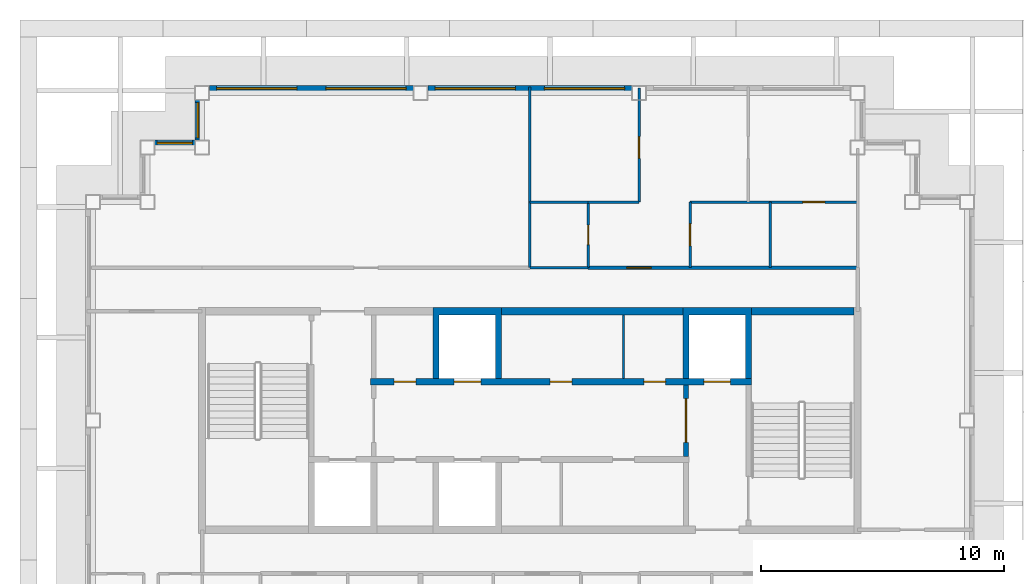
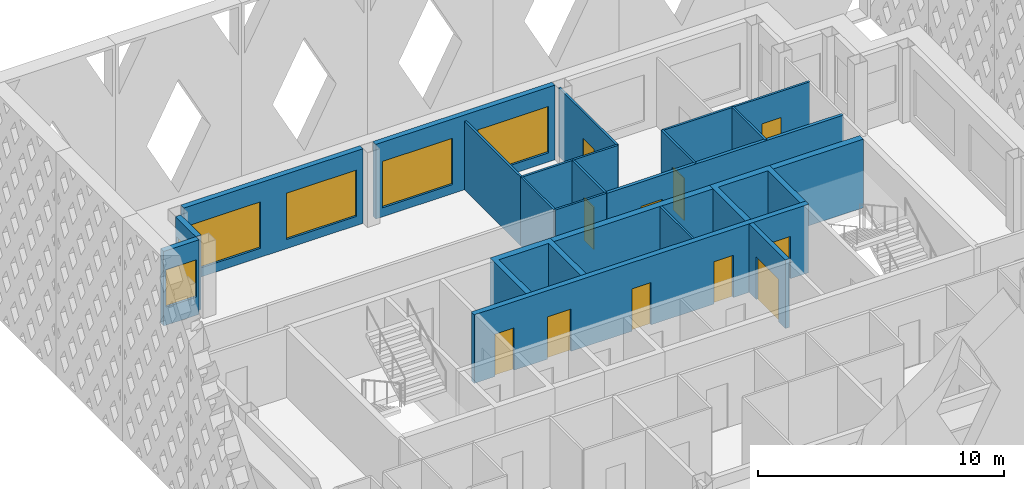
# One storey, part 4 of 13: 22 walls, 11 doors, 6 windows, 17 openings.
"""IFC4 building model written with IfcOpenShell, lengths in metres."""

from ifc_helpers import new_model, si_unit, direction, frame, frame_2d, origin, place, context, subcontext, project, spatial, polyline, rectangle, outline, extrude, material, layer, layer_set, type_object, element, fill, save


model = new_model("IFC4")

# Units and contexts
model_context = context("Model", 3, precision=1e-05, world=origin(), true_north=direction((0.0, 1.0)))
body_context = subcontext(model_context, "Body", "Model", "MODEL_VIEW")
ifc_project = project(units=[si_unit("LENGTHUNIT", "METRE"), si_unit("AREAUNIT", "SQUARE_METRE"), si_unit("VOLUMEUNIT", "CUBIC_METRE"), si_unit("PLANEANGLEUNIT", "RADIAN"), si_unit("MASSUNIT", "GRAM", prefix="KILO")], contexts=[model_context])

# Site, building, storey
site_placement = place(None, origin())
site = spatial("IfcSite", under=ifc_project, at=site_placement, CompositionType="ELEMENT")
building_placement = place(site_placement, origin())
building = spatial("IfcBuilding", under=site, at=building_placement, Name="Caravel Reach Hotel and Residences", CompositionType="ELEMENT")
storey_placement = place(building_placement, frame((0.0, 0.0, 294.5)))
storey = spatial("IfcBuildingStorey", under=building, at=storey_placement, Name="L75", CompositionType="ELEMENT", Elevation=294.5)

# Walls
ifc_material_1 = material(Name="Gypsum board on steel stud", Category="steel")
ifc_layer_1 = layer(ifc_material_1, 0.10009765625)
ifc_layer_set_1 = layer_set([ifc_layer_1], Name="Bathroom pod wall 100 mm")
wall_type_1 = type_object("IfcWallType", Name="Bathroom pod wall 100 mm", PredefinedType="PARTITIONING", material=ifc_layer_set_1)
for number, where, z_axis, x_axis, name in (
    (1, (31.5, 33.300048828125, 0.0), (0.0, 0.0, 1.0), (1.0, 0.0, 0.0), "L75 wall w052"),
    (2, (31.5, 36.0, 0.0), (0.0, 0.0, 1.0), (1.0, 0.0, 0.0), "L75 wall w053"),
):
    element("IfcWall", number, at=place(storey_placement, frame(where, z_axis=z_axis, x_axis=x_axis)), inside=storey, type_object=wall_type_1, Name=name, PredefinedType="PARTITIONING", context=body_context, shape_type="SweptSolid", body=[
        extrude(rectangle(XDim=2.39990234375, YDim=0.10009765625, at=frame_2d((1.199951171875, 0.0))), origin(), (0.0, 0.0, 1.0), 3.39990234375),
    ])
wall_1_placement = place(storey_placement, frame((31.5, 33.300048828125, 0.0), z_axis=(0.0, 0.0, 1.0), x_axis=(0.0, 1.0, 0.0)))
element("IfcWall", 3, at=wall_1_placement, inside=storey, type_object=wall_type_1, Name="L75 wall w057", PredefinedType="PARTITIONING", context=body_context, shape_type="SweptSolid", body=[
    extrude(rectangle(XDim=2.699951171875, YDim=0.10009765625, at=frame_2d((1.35009765625, 0.0))), origin(), (0.0, 0.0, 1.0), 3.39990234375),
])

# Wall, opening, door
wall_2_placement = place(storey_placement, frame((33.89990234375, 33.300048828125, 0.0), z_axis=(0.0, 0.0, 1.0), x_axis=(0.0, 1.0, 0.0)))
wall_2 = element("IfcWall", 4, at=wall_2_placement, inside=storey, type_object=wall_type_1, Name="L75 wall w059", PredefinedType="PARTITIONING", context=body_context, shape_type="SweptSolid", body=[
    extrude(rectangle(XDim=2.699951171875, YDim=0.10009765625, at=frame_2d((1.35009765625, 0.0))), origin(), (0.0, 0.0, 1.0), 3.39990234375),
])
opening_1_placement = place(wall_2_placement, frame((0.949951171875, 0.0, 0.0)))
opening_1 = element("IfcOpeningElement", 5, at=opening_1_placement, cuts=wall_2, Name="Opening D75-019", PredefinedType="OPENING", context=body_context, shape_type="SweptSolid", body=[
    extrude(rectangle(XDim=0.800048828125, YDim=2.10009765625, at=frame_2d((0.39990234375, 1.050048828125))), frame((0.0, 0.06005859375, 0.0), z_axis=(0.0, -1.0, 0.0), x_axis=(1.0, 0.0, 0.0)), (0.0, 0.0, 1.0), 0.1201171875),
])
ifc_material_2 = material(Name="Timber and steel door leaf", Category="steel")
door_type_1 = type_object("IfcDoorType", Name="Bathroom door 800 x 2100", OperationType="SINGLE_SWING_LEFT", PredefinedType="DOOR", material=ifc_material_2)
door_1_placement = place(opening_1_placement, origin())
door_1 = element("IfcDoor", 6, at=door_1_placement, inside=storey, type_object=door_type_1, Name="door D75-019", OperationType="SINGLE_SWING_RIGHT", OverallHeight=2.10009765625, OverallWidth=0.800048828125, PredefinedType="DOOR", context=body_context, shape_type="SweptSolid", body=[
    extrude(rectangle(XDim=0.800048828125, YDim=2.10009765625, at=frame_2d((0.39990234375, 1.050048828125))), frame((0.0, 0.02490234375, 0.0), z_axis=(0.0, -1.0, 0.0), x_axis=(1.0, 0.0, 0.0)), (0.0, 0.0, 1.0), 0.050048828125),
])
fill(opening_1, door_1)

# Walls
ifc_material_3 = material(Name="Concrete C60", Category="concrete")
ifc_layer_2 = layer(ifc_material_3, 0.300048828125)
ifc_layer_set_2 = layer_set([ifc_layer_2], Name="Core wall 300 mm EI 120")
wall_type_2 = type_object("IfcWallType", Name="Core wall 300 mm EI 120", PredefinedType="SHEAR", material=ifc_layer_set_2)
wall_3_placement = place(storey_placement, frame((30.33935546875, 31.5, 0.0), z_axis=(0.0, 0.0, 1.0), x_axis=(1.0, 0.0, 0.0)))
element("IfcWall", 7, at=wall_3_placement, inside=storey, type_object=wall_type_2, Name="L75 core wall N2", PredefinedType="SHEAR", context=body_context, shape_type="SweptSolid", body=[
    extrude(rectangle(XDim=7.464111328125, YDim=0.300048828125, at=frame_2d((3.73193359375, 0.0))), origin(), (0.0, 0.0, 1.0), 3.39990234375),
])
wall_4_placement = place(storey_placement, frame((40.625, 31.5, 0.0), z_axis=(0.0, 0.0, 1.0), x_axis=(1.0, 0.0, 0.0)))
element("IfcWall", 8, at=wall_4_placement, inside=storey, type_object=wall_type_2, Name="L75 core wall N3", PredefinedType="SHEAR", context=body_context, shape_type="SweptSolid", body=[
    extrude(rectangle(XDim=4.22509765625, YDim=0.300048828125, at=frame_2d((2.112548828125, 0.0))), origin(), (0.0, 0.0, 1.0), 3.39990234375),
])

# Wall, opening, door
ifc_material_4 = material(Name="Gypsum board on steel stud, fire-rated", Category="steel")
ifc_layer_3 = layer(ifc_material_4, 0.14990234375)
ifc_layer_set_3 = layer_set([ifc_layer_3], Name="Corridor wall 150 mm EI 60")
wall_type_3 = type_object("IfcWallType", Name="Corridor wall 150 mm EI 60", PredefinedType="PARTITIONING", material=ifc_layer_set_3)
wall_5_placement = place(storey_placement, frame((33.89990234375, 33.300048828125, 0.0), z_axis=(0.0, 0.0, 1.0), x_axis=(1.0, 0.0, 0.0)))
wall_5 = element("IfcWall", 9, at=wall_5_placement, inside=storey, type_object=wall_type_3, Name="L75 wall w012", PredefinedType="PARTITIONING", context=body_context, shape_type="SweptSolid", body=[
    extrude(rectangle(XDim=11.10009765625, YDim=0.14990234375, at=frame_2d((5.550048828125, 0.0))), origin(), (0.0, 0.0, 1.0), 3.39990234375),
])
opening_2_placement = place(wall_5_placement, frame((1.60009765625, 0.0, 0.0)))
opening_2 = element("IfcOpeningElement", 10, at=opening_2_placement, cuts=wall_5, Name="Opening D75-018", PredefinedType="OPENING", context=body_context, shape_type="SweptSolid", body=[
    extrude(rectangle(XDim=1.0, YDim=2.199951171875, at=frame_2d((0.5, 1.10009765625))), frame((0.0, 0.0849609375, 0.0), z_axis=(0.0, -1.0, 0.0), x_axis=(1.0, 0.0, 0.0)), (0.0, 0.0, 1.0), 0.169921875),
])
ifc_material_5 = material(Name="Steel fire door leaf", Category="steel")
door_type_2 = type_object("IfcDoorType", Name="Flat entrance door 1000 x 2200 EI 60", OperationType="SINGLE_SWING_LEFT", PredefinedType="DOOR", material=ifc_material_5)
door_2_placement = place(opening_2_placement, origin())
door_2 = element("IfcDoor", 11, at=door_2_placement, inside=storey, type_object=door_type_2, Name="door D75-018", OperationType="SINGLE_SWING_RIGHT", OverallHeight=2.199951171875, OverallWidth=1.0, PredefinedType="DOOR", context=body_context, shape_type="SweptSolid", body=[
    extrude(rectangle(XDim=1.0, YDim=2.199951171875, at=frame_2d((0.5, 1.10009765625))), frame((0.0, 0.02490234375, 0.0), z_axis=(0.0, -1.0, 0.0), x_axis=(1.0, 0.0, 0.0)), (0.0, 0.0, 1.0), 0.050048828125),
])
fill(opening_2, door_2)

# Wall, openings, windows
ifc_material_6 = material(Name="Insulated rainscreen wall, aluminium cladding", Category="aluminium")
ifc_layer_4 = layer(ifc_material_6, 0.25)
ifc_layer_set_4 = layer_set([ifc_layer_4], Name="EW1 Tower rainscreen wall")
wall_type_4 = type_object("IfcWallType", Name="EW1 Tower rainscreen wall", PredefinedType="SOLIDWALL", material=ifc_layer_set_4)
wall_6_placement = place(storey_placement, frame((35.699951171875, 40.675048828125, 0.0), z_axis=(0.0, 0.0, 1.0), x_axis=(-1.0, 0.0, 0.0)))
wall_6 = element("IfcWall", 12, at=wall_6_placement, inside=storey, type_object=wall_type_4, Name="External wall L75 N10.2", PredefinedType="SOLIDWALL", context=body_context, shape_type="SweptSolid", body=[
    extrude(rectangle(XDim=8.39990234375, YDim=0.25, at=frame_2d((4.199951171875, 0.0))), origin(), (0.0, 0.0, 1.0), 3.699951171875),
])
opening_3_placement = place(wall_6_placement, frame((0.300048828125, 0.0, 0.449951171875)))
opening_3 = element("IfcOpeningElement", 13, at=opening_3_placement, cuts=wall_6, Name="Opening WN15", PredefinedType="OPENING", context=body_context, shape_type="SweptSolid", body=[
    extrude(rectangle(XDim=3.300048828125, YDim=2.300048828125, at=frame_2d((1.64990234375, 1.14990234375))), frame((0.0, 0.135009765625, 0.0), z_axis=(0.0, -1.0, 0.0), x_axis=(1.0, 0.0, 0.0)), (0.0, 0.0, 1.0), 0.27001953125),
])
opening_4_placement = place(wall_6_placement, frame((4.800048828125, 0.0, 0.449951171875)))
opening_4 = element("IfcOpeningElement", 14, at=opening_4_placement, cuts=wall_6, Name="Opening WN15", PredefinedType="OPENING", context=body_context, shape_type="SweptSolid", body=[
    extrude(rectangle(XDim=3.300048828125, YDim=2.300048828125, at=frame_2d((1.64990234375, 1.14990234375))), frame((0.0, 0.135009765625, 0.0), z_axis=(0.0, -1.0, 0.0), x_axis=(1.0, 0.0, 0.0)), (0.0, 0.0, 1.0), 0.27001953125),
])
ifc_material_7 = material(Name="Dark low-e glazing in black aluminium frame", Category="aluminium")
window_type_1 = type_object("IfcWindowType", Name="Residence living window 3300 x 2300", PartitioningType="SINGLE_PANEL", PredefinedType="WINDOW", material=ifc_material_7)
window_1_placement = place(opening_3_placement, origin())
window_1 = element("IfcWindow", 15, at=window_1_placement, inside=storey, type_object=window_type_1, Name="Window L75 N10.2.1", OverallHeight=2.300048828125, OverallWidth=3.300048828125, PartitioningType="SINGLE_PANEL", PredefinedType="WINDOW", context=body_context, shape_type="SweptSolid", body=[
    extrude(rectangle(XDim=3.300048828125, YDim=2.300048828125, at=frame_2d((1.64990234375, 1.14990234375))), frame((0.0, 0.030029296875, 0.0), z_axis=(0.0, -1.0, 0.0), x_axis=(1.0, 0.0, 0.0)), (0.0, 0.0, 1.0), 0.06005859375),
])
fill(opening_3, window_1)
window_2_placement = place(opening_4_placement, origin())
window_2 = element("IfcWindow", 16, at=window_2_placement, inside=storey, type_object=window_type_1, Name="Window L75 N10.2.2", OverallHeight=2.300048828125, OverallWidth=3.300048828125, PartitioningType="SINGLE_PANEL", PredefinedType="WINDOW", context=body_context, shape_type="SweptSolid", body=[
    extrude(rectangle(XDim=3.300048828125, YDim=2.300048828125, at=frame_2d((1.64990234375, 1.14990234375))), frame((0.0, 0.030029296875, 0.0), z_axis=(0.0, -1.0, 0.0), x_axis=(1.0, 0.0, 0.0)), (0.0, 0.0, 1.0), 0.06005859375),
])
fill(opening_4, window_2)

wall_7_placement = place(storey_placement, frame((26.699951171875, 40.675048828125, 0.0), z_axis=(0.0, 0.0, 1.0), x_axis=(-1.0, 0.0, 0.0)))
wall_7 = element("IfcWall", 17, at=wall_7_placement, inside=storey, type_object=wall_type_4, Name="External wall L75 N10.3", PredefinedType="SOLIDWALL", context=body_context, shape_type="SweptSolid", body=[
    extrude(rectangle(XDim=8.39990234375, YDim=0.25, at=frame_2d((4.199951171875, 0.0))), origin(), (0.0, 0.0, 1.0), 3.699951171875),
])
opening_5_placement = place(wall_7_placement, frame((0.300048828125, 0.0, 0.449951171875)))
opening_5 = element("IfcOpeningElement", 18, at=opening_5_placement, cuts=wall_7, Name="Opening WN15", PredefinedType="OPENING", context=body_context, shape_type="SweptSolid", body=[
    extrude(rectangle(XDim=3.300048828125, YDim=2.300048828125, at=frame_2d((1.64990234375, 1.14990234375))), frame((0.0, 0.135009765625, 0.0), z_axis=(0.0, -1.0, 0.0), x_axis=(1.0, 0.0, 0.0)), (0.0, 0.0, 1.0), 0.27001953125),
])
opening_6_placement = place(wall_7_placement, frame((4.800048828125, 0.0, 0.449951171875)))
opening_6 = element("IfcOpeningElement", 19, at=opening_6_placement, cuts=wall_7, Name="Opening WN15", PredefinedType="OPENING", context=body_context, shape_type="SweptSolid", body=[
    extrude(rectangle(XDim=3.300048828125, YDim=2.300048828125, at=frame_2d((1.64990234375, 1.14990234375))), frame((0.0, 0.135009765625, 0.0), z_axis=(0.0, -1.0, 0.0), x_axis=(1.0, 0.0, 0.0)), (0.0, 0.0, 1.0), 0.27001953125),
])
window_3_placement = place(opening_5_placement, origin())
window_3 = element("IfcWindow", 20, at=window_3_placement, inside=storey, type_object=window_type_1, Name="Window L75 N10.3.1", OverallHeight=2.300048828125, OverallWidth=3.300048828125, PartitioningType="SINGLE_PANEL", PredefinedType="WINDOW", context=body_context, shape_type="SweptSolid", body=[
    extrude(rectangle(XDim=3.300048828125, YDim=2.300048828125, at=frame_2d((1.64990234375, 1.14990234375))), frame((0.0, 0.030029296875, 0.0), z_axis=(0.0, -1.0, 0.0), x_axis=(1.0, 0.0, 0.0)), (0.0, 0.0, 1.0), 0.06005859375),
])
fill(opening_5, window_3)
window_4_placement = place(opening_6_placement, origin())
window_4 = element("IfcWindow", 21, at=window_4_placement, inside=storey, type_object=window_type_1, Name="Window L75 N10.3.2", OverallHeight=2.300048828125, OverallWidth=3.300048828125, PartitioningType="SINGLE_PANEL", PredefinedType="WINDOW", context=body_context, shape_type="SweptSolid", body=[
    extrude(rectangle(XDim=3.300048828125, YDim=2.300048828125, at=frame_2d((1.64990234375, 1.14990234375))), frame((0.0, 0.030029296875, 0.0), z_axis=(0.0, -1.0, 0.0), x_axis=(1.0, 0.0, 0.0)), (0.0, 0.0, 1.0), 0.06005859375),
])
fill(opening_6, window_4)

# Wall, opening, window
wall_8_placement = place(storey_placement, frame((17.824951171875, 40.199951171875, 0.0), z_axis=(0.0, 0.0, 1.0), x_axis=(0.0, -1.0, 0.0)))
wall_8 = element("IfcWall", 22, at=wall_8_placement, inside=storey, type_object=wall_type_4, Name="External wall L75 W11.1", PredefinedType="SOLIDWALL", context=body_context, shape_type="SweptSolid", body=[
    extrude(rectangle(XDim=1.64990234375, YDim=0.25, at=frame_2d((0.824951171875, 0.0))), origin(), (0.0, 0.0, 1.0), 3.699951171875),
])
opening_7_placement = place(wall_8_placement, frame((0.10009765625, 0.0, 0.89990234375)))
opening_7 = element("IfcOpeningElement", 23, at=opening_7_placement, cuts=wall_8, Name="Opening WN25", PredefinedType="OPENING", context=body_context, shape_type="SweptSolid", body=[
    extrude(rectangle(XDim=1.449951171875, YDim=1.85009765625, at=frame_2d((0.72509765625, 0.925048828125))), frame((0.0, 0.135009765625, 0.0), z_axis=(0.0, -1.0, 0.0), x_axis=(1.0, 0.0, 0.0)), (0.0, 0.0, 1.0), 0.27001953125),
])
ifc_material_8 = material(Name="Dark low-e glazing in black aluminium frame", Category="aluminium")
window_type_2 = type_object("IfcWindowType", Name="Residence bedroom window 1450 x 1850", PartitioningType="SINGLE_PANEL", PredefinedType="WINDOW", material=ifc_material_8)
window_5_placement = place(opening_7_placement, origin())
window_5 = element("IfcWindow", 24, at=window_5_placement, inside=storey, type_object=window_type_2, Name="Window L75 W11.1.1", OverallHeight=1.85009765625, OverallWidth=1.449951171875, PartitioningType="SINGLE_PANEL", PredefinedType="WINDOW", context=body_context, shape_type="SweptSolid", body=[
    extrude(rectangle(XDim=1.449951171875, YDim=1.85009765625, at=frame_2d((0.72509765625, 0.925048828125))), frame((0.0, 0.030029296875, 0.0), z_axis=(0.0, -1.0, 0.0), x_axis=(1.0, 0.0, 0.0)), (0.0, 0.0, 1.0), 0.06005859375),
])
fill(opening_7, window_5)

wall_9_placement = place(storey_placement, frame((17.699951171875, 38.425048828125, 0.0), z_axis=(0.0, 0.0, 1.0), x_axis=(-1.0, 0.0, 0.0)))
wall_9 = element("IfcWall", 25, at=wall_9_placement, inside=storey, type_object=wall_type_4, Name="External wall L75 N12.1", PredefinedType="SOLIDWALL", context=body_context, shape_type="SweptSolid", body=[
    extrude(rectangle(XDim=1.64990234375, YDim=0.25, at=frame_2d((0.824951171875, 0.0))), origin(), (0.0, 0.0, 1.0), 3.699951171875),
])
opening_8_placement = place(wall_9_placement, frame((0.10009765625, 0.0, 0.89990234375)))
opening_8 = element("IfcOpeningElement", 26, at=opening_8_placement, cuts=wall_9, Name="Opening WN25", PredefinedType="OPENING", context=body_context, shape_type="SweptSolid", body=[
    extrude(rectangle(XDim=1.449951171875, YDim=1.85009765625, at=frame_2d((0.72509765625, 0.925048828125))), frame((0.0, 0.135009765625, 0.0), z_axis=(0.0, -1.0, 0.0), x_axis=(1.0, 0.0, 0.0)), (0.0, 0.0, 1.0), 0.27001953125),
])
window_6_placement = place(opening_8_placement, origin())
window_6 = element("IfcWindow", 27, at=window_6_placement, inside=storey, type_object=window_type_2, Name="Window L75 N12.1.1", OverallHeight=1.85009765625, OverallWidth=1.449951171875, PartitioningType="SINGLE_PANEL", PredefinedType="WINDOW", context=body_context, shape_type="SweptSolid", body=[
    extrude(rectangle(XDim=1.449951171875, YDim=1.85009765625, at=frame_2d((0.72509765625, 0.925048828125))), frame((0.0, 0.030029296875, 0.0), z_axis=(0.0, -1.0, 0.0), x_axis=(1.0, 0.0, 0.0)), (0.0, 0.0, 1.0), 0.06005859375),
])
fill(opening_8, window_6)

# Wall, opening, door
ifc_material_9 = material(Name="Autoclaved aerated block wall")
ifc_layer_5 = layer(ifc_material_9, 0.199951171875)
ifc_layer_set_5 = layer_set([ifc_layer_5], Name="Fire lobby wall 200 mm EI 120")
wall_type_5 = type_object("IfcWallType", Name="Fire lobby wall 200 mm EI 120", PredefinedType="PARTITIONING", material=ifc_layer_set_5)
wall_10_placement = place(storey_placement, frame((37.928466796875, 25.52490234375, 0.0), z_axis=(0.0, 0.0, 1.0), x_axis=(0.0, 1.0, 0.0)))
wall_10 = element("IfcWall", 28, at=wall_10_placement, inside=storey, type_object=wall_type_5, Name="L75 lobby E wall", PredefinedType="PARTITIONING", context=body_context, shape_type="SweptSolid", body=[
    extrude(rectangle(XDim=2.9501953125, YDim=0.199951171875, at=frame_2d((1.47509765625, 0.0))), origin(), (0.0, 0.0, 1.0), 3.39990234375),
])
opening_9_placement = place(wall_10_placement, frame((0.574951171875, 0.0, 0.0)))
opening_9 = element("IfcOpeningElement", 29, at=opening_9_placement, cuts=wall_10, Name="Opening D75-014", PredefinedType="OPENING", context=body_context, shape_type="SweptSolid", body=[
    extrude(rectangle(XDim=1.800048828125, YDim=2.10009765625, at=frame_2d((0.89990234375, 1.050048828125))), frame((0.0, 0.10986328125, 0.0), z_axis=(0.0, -1.0, 0.0), x_axis=(1.0, 0.0, 0.0)), (0.0, 0.0, 1.0), 0.219970703125),
])
ifc_material_10 = material(Name="Steel fire door leaf", Category="steel")
door_type_3 = type_object("IfcDoorType", Name="Fire lobby door pair 1800 x 2100 EI 90", OperationType="DOUBLE_DOOR_SINGLE_SWING", PredefinedType="DOOR", material=ifc_material_10)
door_3_placement = place(opening_9_placement, origin())
door_3 = element("IfcDoor", 30, at=door_3_placement, inside=storey, type_object=door_type_3, Name="lobby E door pair", OperationType="DOUBLE_DOOR_SINGLE_SWING", OverallHeight=2.10009765625, OverallWidth=1.800048828125, PredefinedType="DOOR", context=body_context, shape_type="SweptSolid", body=[
    extrude(rectangle(XDim=1.800048828125, YDim=2.10009765625, at=frame_2d((0.89990234375, 1.050048828125))), frame((0.0, 0.02490234375, 0.0), z_axis=(0.0, -1.0, 0.0), x_axis=(1.0, 0.0, 0.0)), (0.0, 0.0, 1.0), 0.050048828125),
])
fill(opening_9, door_3)

# Walls
ifc_material_11 = material(Name="Gypsum board on steel stud", Category="steel")
ifc_layer_6 = layer(ifc_material_11, 0.10009765625)
ifc_layer_set_6 = layer_set([ifc_layer_6], Name="Partition 100 mm")
wall_type_6 = type_object("IfcWallType", Name="Partition 100 mm", PredefinedType="PARTITIONING", material=ifc_layer_set_6)
wall_11_placement = place(storey_placement, frame((35.357177734375, 28.72509765625, 0.0), z_axis=(0.0, 0.0, 1.0), x_axis=(0.0, 1.0, 0.0)))
element("IfcWall", 31, at=wall_11_placement, inside=storey, type_object=wall_type_6, Name="L75 store partition", PredefinedType="PARTITIONING", context=body_context, shape_type="SweptSolid", body=[
    extrude(rectangle(XDim=2.625, YDim=0.10009765625, at=frame_2d((1.3125, 0.0))), origin(), (0.0, 0.0, 1.0), 3.39990234375),
])
wall_12_placement = place(storey_placement, frame((33.89990234375, 36.0, 0.0), z_axis=(0.0, 0.0, 1.0), x_axis=(1.0, 0.0, 0.0)))
element("IfcWall", 32, at=wall_12_placement, inside=storey, type_object=wall_type_6, Name="L75 wall w024", PredefinedType="PARTITIONING", context=body_context, shape_type="SweptSolid", body=[
    extrude(rectangle(XDim=2.10009765625, YDim=0.10009765625, at=frame_2d((1.050048828125, 0.0))), origin(), (0.0, 0.0, 1.0), 3.39990234375),
])

# Wall, opening, door
wall_13_placement = place(storey_placement, frame((38.10009765625, 36.0, 0.0), z_axis=(0.0, 0.0, 1.0), x_axis=(1.0, 0.0, 0.0)))
wall_13 = element("IfcWall", 33, at=wall_13_placement, inside=storey, type_object=wall_type_6, Name="L75 wall w026", PredefinedType="PARTITIONING", context=body_context, shape_type="SweptSolid", body=[
    extrude(rectangle(XDim=6.89990234375, YDim=0.10009765625, at=frame_2d((3.449951171875, 0.0))), origin(), (0.0, 0.0, 1.0), 3.39990234375),
])
opening_10_placement = place(wall_13_placement, frame((4.650146484375, 0.0, 0.0)))
opening_10 = element("IfcOpeningElement", 34, at=opening_10_placement, cuts=wall_13, Name="Opening D75-021", PredefinedType="OPENING", context=body_context, shape_type="SweptSolid", body=[
    extrude(rectangle(XDim=0.89990234375, YDim=2.10009765625, at=frame_2d((0.449951171875, 1.050048828125))), frame((0.0, 0.06005859375, 0.0), z_axis=(0.0, -1.0, 0.0), x_axis=(1.0, 0.0, 0.0)), (0.0, 0.0, 1.0), 0.1201171875),
])
ifc_material_12 = material(Name="Timber and steel door leaf", Category="steel")
door_type_4 = type_object("IfcDoorType", Name="Door 900 x 2100 timber", OperationType="SINGLE_SWING_LEFT", PredefinedType="DOOR", material=ifc_material_12)
door_4_placement = place(opening_10_placement, origin())
door_4 = element("IfcDoor", 35, at=door_4_placement, inside=storey, type_object=door_type_4, Name="door D75-021", OperationType="SINGLE_SWING_LEFT", OverallHeight=2.10009765625, OverallWidth=0.89990234375, PredefinedType="DOOR", context=body_context, shape_type="SweptSolid", body=[
    extrude(rectangle(XDim=0.89990234375, YDim=2.10009765625, at=frame_2d((0.449951171875, 1.050048828125))), frame((0.0, 0.02490234375, 0.0), z_axis=(0.0, -1.0, 0.0), x_axis=(1.0, 0.0, 0.0)), (0.0, 0.0, 1.0), 0.050048828125),
])
fill(opening_10, door_4)

# Wall
wall_14_placement = place(storey_placement, frame((31.5, 36.0, 0.0), z_axis=(0.0, 0.0, 1.0), x_axis=(0.0, 1.0, 0.0)))
element("IfcWall", 36, at=wall_14_placement, inside=storey, type_object=wall_type_6, Name="L75 wall w031", PredefinedType="PARTITIONING", context=body_context, shape_type="SweptSolid", body=[
    extrude(rectangle(XDim=4.739990234375, YDim=0.10009765625, at=frame_2d((2.3701171875, 0.0))), origin(), (0.0, 0.0, 1.0), 3.39990234375),
])

# Wall, opening, door
wall_15_placement = place(storey_placement, frame((36.0, 36.0, 0.0), z_axis=(0.0, 0.0, 1.0), x_axis=(0.0, 1.0, 0.0)))
wall_15 = element("IfcWall", 37, at=wall_15_placement, inside=storey, type_object=wall_type_6, Name="L75 wall w033", PredefinedType="PARTITIONING", context=body_context, shape_type="SweptSolid", body=[
    extrude(rectangle(XDim=4.68994140625, YDim=0.10009765625, at=frame_2d((2.344970703125, 0.0))), origin(), (0.0, 0.0, 1.0), 3.39990234375),
])
opening_11_placement = place(wall_15_placement, frame((1.800048828125, 0.0, 0.0)))
opening_11 = element("IfcOpeningElement", 38, at=opening_11_placement, cuts=wall_15, Name="Opening D75-022", PredefinedType="OPENING", context=body_context, shape_type="SweptSolid", body=[
    extrude(rectangle(XDim=0.89990234375, YDim=2.10009765625, at=frame_2d((0.449951171875, 1.050048828125))), frame((0.0, 0.06005859375, 0.0), z_axis=(0.0, -1.0, 0.0), x_axis=(1.0, 0.0, 0.0)), (0.0, 0.0, 1.0), 0.1201171875),
])
door_5_placement = place(opening_11_placement, origin())
door_5 = element("IfcDoor", 39, at=door_5_placement, inside=storey, type_object=door_type_4, Name="door D75-022", OperationType="SINGLE_SWING_RIGHT", OverallHeight=2.10009765625, OverallWidth=0.89990234375, PredefinedType="DOOR", context=body_context, shape_type="SweptSolid", body=[
    extrude(rectangle(XDim=0.89990234375, YDim=2.10009765625, at=frame_2d((0.449951171875, 1.050048828125))), frame((0.0, 0.02490234375, 0.0), z_axis=(0.0, -1.0, 0.0), x_axis=(1.0, 0.0, 0.0)), (0.0, 0.0, 1.0), 0.050048828125),
])
fill(opening_11, door_5)

wall_16_placement = place(storey_placement, frame((38.10009765625, 33.300048828125, 0.0), z_axis=(0.0, 0.0, 1.0), x_axis=(0.0, 1.0, 0.0)))
wall_16 = element("IfcWall", 40, at=wall_16_placement, inside=storey, type_object=wall_type_6, Name="L75 wall w034", PredefinedType="PARTITIONING", context=body_context, shape_type="SweptSolid", body=[
    extrude(rectangle(XDim=2.699951171875, YDim=0.10009765625, at=frame_2d((1.35009765625, 0.0))), origin(), (0.0, 0.0, 1.0), 3.39990234375),
])
opening_12_placement = place(wall_16_placement, frame((0.89990234375, 0.0, 0.0)))
opening_12 = element("IfcOpeningElement", 41, at=opening_12_placement, cuts=wall_16, Name="Opening D75-020", PredefinedType="OPENING", context=body_context, shape_type="SweptSolid", body=[
    extrude(rectangle(XDim=0.89990234375, YDim=2.10009765625, at=frame_2d((0.449951171875, 1.050048828125))), frame((0.0, 0.06005859375, 0.0), z_axis=(0.0, -1.0, 0.0), x_axis=(1.0, 0.0, 0.0)), (0.0, 0.0, 1.0), 0.1201171875),
])
door_6_placement = place(opening_12_placement, origin())
door_6 = element("IfcDoor", 42, at=door_6_placement, inside=storey, type_object=door_type_4, Name="door D75-020", OperationType="SINGLE_SWING_RIGHT", OverallHeight=2.10009765625, OverallWidth=0.89990234375, PredefinedType="DOOR", context=body_context, shape_type="SweptSolid", body=[
    extrude(rectangle(XDim=0.89990234375, YDim=2.10009765625, at=frame_2d((0.449951171875, 1.050048828125))), frame((0.0, 0.02490234375, 0.0), z_axis=(0.0, -1.0, 0.0), x_axis=(1.0, 0.0, 0.0)), (0.0, 0.0, 1.0), 0.050048828125),
])
fill(opening_12, door_6)

# Walls
wall_17_placement = place(storey_placement, frame((41.39990234375, 33.300048828125, 0.0), z_axis=(0.0, 0.0, 1.0), x_axis=(0.0, 1.0, 0.0)))
element("IfcWall", 43, at=wall_17_placement, inside=storey, type_object=wall_type_6, Name="L75 wall w038", PredefinedType="PARTITIONING", context=body_context, shape_type="SweptSolid", body=[
    extrude(rectangle(XDim=2.699951171875, YDim=0.10009765625, at=frame_2d((1.35009765625, 0.0))), origin(), (0.0, 0.0, 1.0), 3.39990234375),
])
ifc_material_13 = material(Name="Concrete C60", Category="concrete")
ifc_layer_7 = layer(ifc_material_13, 0.25)
ifc_layer_set_7 = layer_set([ifc_layer_7], Name="Shaft wall 250 mm EI 120")
wall_type_7 = type_object("IfcWallType", Name="Shaft wall 250 mm EI 120", PredefinedType="SHEAR", material=ifc_layer_set_7)
wall_18_placement = place(storey_placement, origin())
element("IfcWall", 44, at=wall_18_placement, inside=storey, type_object=wall_type_7, Name="L75 lift shaft wall N1", PredefinedType="SHEAR", context=body_context, shape_type="SweptSolid", body=[
    extrude(outline(polyline([(27.517822265625, 28.72509765625), (27.767822265625, 28.72509765625), (27.767822265625, 31.35009765625), (30.08935546875, 31.35009765625), (30.08935546875, 28.72509765625), (30.33935546875, 28.72509765625), (30.33935546875, 31.64990234375), (27.517822265625, 31.64990234375), (27.517822265625, 28.72509765625)])), origin(), (0.0, 0.0, 1.0), 3.39990234375),
])
wall_19_placement = place(storey_placement, origin())
element("IfcWall", 45, at=wall_19_placement, inside=storey, type_object=wall_type_7, Name="L75 lift shaft wall N2", PredefinedType="SHEAR", context=body_context, shape_type="SweptSolid", body=[
    extrude(outline(polyline([(37.803466796875, 28.72509765625), (38.053466796875, 28.72509765625), (38.053466796875, 31.35009765625), (40.375, 31.35009765625), (40.375, 28.72509765625), (40.625, 28.72509765625), (40.625, 31.64990234375), (37.803466796875, 31.64990234375), (37.803466796875, 28.72509765625)])), origin(), (0.0, 0.0, 1.0), 3.39990234375),
])

# Wall, openings, doors
wall_20_placement = place(storey_placement, frame((24.946533203125, 28.60009765625, 0.0), z_axis=(0.0, 0.0, 1.0), x_axis=(1.0, 0.0, 0.0)))
wall_20 = element("IfcWall", 46, at=wall_20_placement, inside=storey, type_object=wall_type_7, Name="L75 lobby wall N1", PredefinedType="SHEAR", context=body_context, shape_type="SweptSolid", body=[
    extrude(rectangle(XDim=15.678466796875, YDim=0.25, at=frame_2d((7.83935546875, 0.0))), origin(), (0.0, 0.0, 1.0), 3.39990234375),
])
opening_13_placement = place(wall_20_placement, frame((3.43212890625, 0.0, 0.0)))
opening_13 = element("IfcOpeningElement", 47, at=opening_13_placement, cuts=wall_20, Name="Opening D75-002", PredefinedType="OPENING", context=body_context, shape_type="SweptSolid", body=[
    extrude(rectangle(XDim=1.10009765625, YDim=2.10009765625, at=frame_2d((0.550048828125, 1.050048828125))), frame((0.0, 0.135009765625, 0.0), z_axis=(0.0, -1.0, 0.0), x_axis=(1.0, 0.0, 0.0)), (0.0, 0.0, 1.0), 0.27001953125),
])
opening_14_placement = place(wall_20_placement, frame((13.718017578125, 0.0, 0.0)))
opening_14 = element("IfcOpeningElement", 48, at=opening_14_placement, cuts=wall_20, Name="Opening D75-004", PredefinedType="OPENING", context=body_context, shape_type="SweptSolid", body=[
    extrude(rectangle(XDim=1.10009765625, YDim=2.10009765625, at=frame_2d((0.550048828125, 1.050048828125))), frame((0.0, 0.135009765625, 0.0), z_axis=(0.0, -1.0, 0.0), x_axis=(1.0, 0.0, 0.0)), (0.0, 0.0, 1.0), 0.27001953125),
])
opening_15_placement = place(wall_20_placement, frame((0.960693359375, 0.0, 0.0)))
opening_15 = element("IfcOpeningElement", 49, at=opening_15_placement, cuts=wall_20, Name="Opening D75-008", PredefinedType="OPENING", context=body_context, shape_type="SweptSolid", body=[
    extrude(rectangle(XDim=0.89990234375, YDim=2.10009765625, at=frame_2d((0.449951171875, 1.050048828125))), frame((0.0, 0.135009765625, 0.0), z_axis=(0.0, -1.0, 0.0), x_axis=(1.0, 0.0, 0.0)), (0.0, 0.0, 1.0), 0.27001953125),
])
opening_16_placement = place(wall_20_placement, frame((7.389404296875, 0.0, 0.0)))
opening_16 = element("IfcOpeningElement", 50, at=opening_16_placement, cuts=wall_20, Name="Opening D75-009", PredefinedType="OPENING", context=body_context, shape_type="SweptSolid", body=[
    extrude(rectangle(XDim=0.89990234375, YDim=2.10009765625, at=frame_2d((0.449951171875, 1.050048828125))), frame((0.0, 0.135009765625, 0.0), z_axis=(0.0, -1.0, 0.0), x_axis=(1.0, 0.0, 0.0)), (0.0, 0.0, 1.0), 0.27001953125),
])
opening_17_placement = place(wall_20_placement, frame((11.246337890625, 0.0, 0.0)))
opening_17 = element("IfcOpeningElement", 51, at=opening_17_placement, cuts=wall_20, Name="Opening D75-010", PredefinedType="OPENING", context=body_context, shape_type="SweptSolid", body=[
    extrude(rectangle(XDim=0.89990234375, YDim=2.10009765625, at=frame_2d((0.449951171875, 1.050048828125))), frame((0.0, 0.135009765625, 0.0), z_axis=(0.0, -1.0, 0.0), x_axis=(1.0, 0.0, 0.0)), (0.0, 0.0, 1.0), 0.27001953125),
])
ifc_material_14 = material(Name="Stainless steel landing door", Category="steel")
door_type_5 = type_object("IfcDoorType", Name="Landing door LD 1100 x 2100 sliding", OperationType="DOUBLE_DOOR_SLIDING", PredefinedType="DOOR", material=ifc_material_14)
door_7_placement = place(opening_13_placement, origin())
door_7 = element("IfcDoor", 52, at=door_7_placement, inside=storey, type_object=door_type_5, Name="HP2 landing door", OperationType="DOUBLE_DOOR_SLIDING", OverallHeight=2.10009765625, OverallWidth=1.10009765625, PredefinedType="DOOR", context=body_context, shape_type="SweptSolid", body=[
    extrude(rectangle(XDim=1.10009765625, YDim=2.10009765625, at=frame_2d((0.550048828125, 1.050048828125))), frame((0.0, 0.02490234375, 0.0), z_axis=(0.0, -1.0, 0.0), x_axis=(1.0, 0.0, 0.0)), (0.0, 0.0, 1.0), 0.050048828125),
])
fill(opening_13, door_7)
door_8_placement = place(opening_14_placement, origin())
door_8 = element("IfcDoor", 53, at=door_8_placement, inside=storey, type_object=door_type_5, Name="FL2 landing door", OperationType="DOUBLE_DOOR_SLIDING", OverallHeight=2.10009765625, OverallWidth=1.10009765625, PredefinedType="DOOR", context=body_context, shape_type="SweptSolid", body=[
    extrude(rectangle(XDim=1.10009765625, YDim=2.10009765625, at=frame_2d((0.550048828125, 1.050048828125))), frame((0.0, 0.02490234375, 0.0), z_axis=(0.0, -1.0, 0.0), x_axis=(1.0, 0.0, 0.0)), (0.0, 0.0, 1.0), 0.050048828125),
])
fill(opening_14, door_8)
ifc_material_15 = material(Name="Steel fire door leaf", Category="steel")
door_type_6 = type_object("IfcDoorType", Name="Riser door 900 x 2100 EI 60", OperationType="SINGLE_SWING_LEFT", PredefinedType="DOOR", material=ifc_material_15)
door_9_placement = place(opening_15_placement, origin())
door_9 = element("IfcDoor", 54, at=door_9_placement, inside=storey, type_object=door_type_6, Name="Housekeeping store door", OperationType="SINGLE_SWING_LEFT", OverallHeight=2.10009765625, OverallWidth=0.89990234375, PredefinedType="DOOR", context=body_context, shape_type="SweptSolid", body=[
    extrude(rectangle(XDim=0.89990234375, YDim=2.10009765625, at=frame_2d((0.449951171875, 1.050048828125))), frame((0.0, 0.02490234375, 0.0), z_axis=(0.0, -1.0, 0.0), x_axis=(1.0, 0.0, 0.0)), (0.0, 0.0, 1.0), 0.050048828125),
])
fill(opening_15, door_9)
door_10_placement = place(opening_16_placement, origin())
door_10 = element("IfcDoor", 55, at=door_10_placement, inside=storey, type_object=door_type_6, Name="Mail store door", OperationType="SINGLE_SWING_LEFT", OverallHeight=2.10009765625, OverallWidth=0.89990234375, PredefinedType="DOOR", context=body_context, shape_type="SweptSolid", body=[
    extrude(rectangle(XDim=0.89990234375, YDim=2.10009765625, at=frame_2d((0.449951171875, 1.050048828125))), frame((0.0, 0.02490234375, 0.0), z_axis=(0.0, -1.0, 0.0), x_axis=(1.0, 0.0, 0.0)), (0.0, 0.0, 1.0), 0.050048828125),
])
fill(opening_16, door_10)
door_11_placement = place(opening_17_placement, origin())
door_11 = element("IfcDoor", 56, at=door_11_placement, inside=storey, type_object=door_type_6, Name="Package store door", OperationType="SINGLE_SWING_LEFT", OverallHeight=2.10009765625, OverallWidth=0.89990234375, PredefinedType="DOOR", context=body_context, shape_type="SweptSolid", body=[
    extrude(rectangle(XDim=0.89990234375, YDim=2.10009765625, at=frame_2d((0.449951171875, 1.050048828125))), frame((0.0, 0.02490234375, 0.0), z_axis=(0.0, -1.0, 0.0), x_axis=(1.0, 0.0, 0.0)), (0.0, 0.0, 1.0), 0.050048828125),
])
fill(opening_17, door_11)

save(model, "model.ifc")
